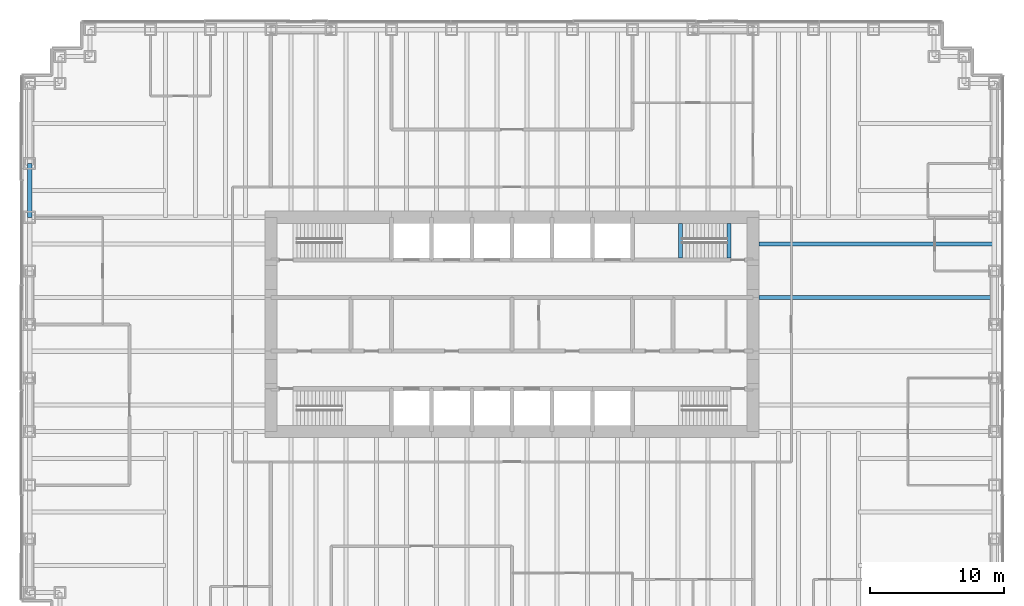
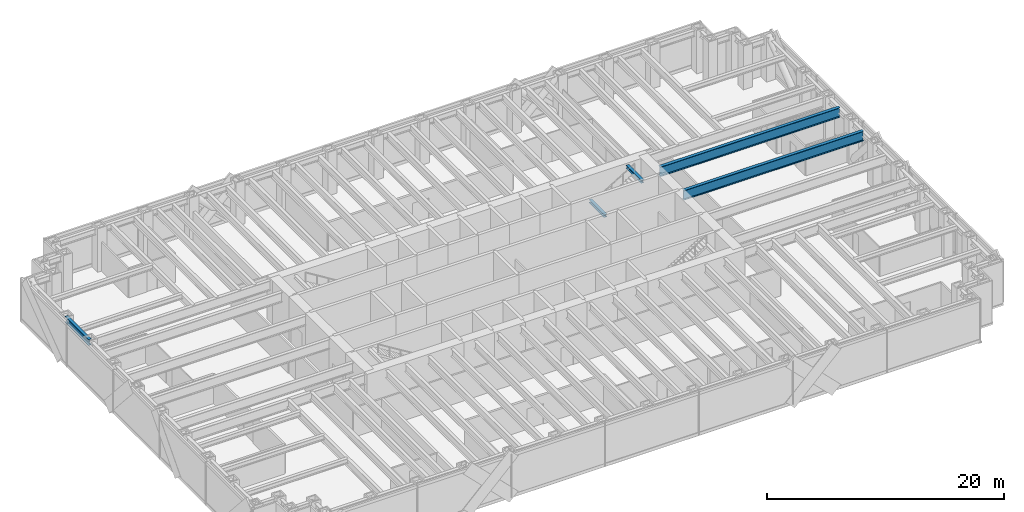
# One storey, part 4 of 13: 5 beams.
"""IFC4 building model written with IfcOpenShell, lengths in metres."""

from ifc_helpers import new_model, si_unit, direction, frame, origin, origin_2d, place, context, subcontext, project, spatial, i_section, extrude, material, material_profile, profile_set, type_object, element, save


model = new_model("IFC4")

# Units and contexts
model_context = context("Model", 3, precision=1e-05, world=origin(), true_north=direction((0.0, 1.0)))
body_context = subcontext(model_context, "Body", "Model", "MODEL_VIEW")
ifc_project = project(units=[si_unit("LENGTHUNIT", "METRE"), si_unit("AREAUNIT", "SQUARE_METRE"), si_unit("VOLUMEUNIT", "CUBIC_METRE"), si_unit("PLANEANGLEUNIT", "RADIAN"), si_unit("MASSUNIT", "GRAM", prefix="KILO")], contexts=[model_context])

# Site, building, storey
site_placement = place(None, origin())
site = spatial("IfcSite", under=ifc_project, at=site_placement, CompositionType="ELEMENT")
building_placement = place(site_placement, origin())
building = spatial("IfcBuilding", under=site, at=building_placement, Name="Rheinbord Bourse Tower", CompositionType="ELEMENT")
storey_placement = place(building_placement, frame((0.0, 0.0, 77.0)))
storey = spatial("IfcBuildingStorey", under=building, at=storey_placement, Name="L16", CompositionType="ELEMENT", Elevation=77.0)

# Beams
ifc_material_1 = material(Name="Steel S460", Category="steel")
ifc_material_profile_1 = material_profile(ifc_material_1, i_section(OverallWidth=0.302001953125, OverallDepth=1.008056640625, WebThickness=0.02099609375, FlangeThickness=0.0400390625, at=origin_2d()), Name="HEM 1000")
ifc_profile_set_1 = profile_set([ifc_material_profile_1], Name="Steel S460")
beam_type_1 = type_object("IfcBeamType", Name="END BEAM HEM 1000", PredefinedType="BEAM", material=ifc_profile_set_1)
for number, where, z_axis, x_axis, name in (
    (1, (54.449951171875, 26.0, 3.81591796875), (1.0, 0.0, 0.0), (0.0, 1.0, 0.0), "End beam east 26 L17"),
    (2, (54.449951171875, 30.0, 3.81591796875), (1.0, 0.0, 0.0), (0.0, 1.0, 0.0), "End beam east 30 L17"),
):
    element("IfcBeam", number, at=place(storey_placement, frame(where, z_axis=z_axis, x_axis=x_axis)), inside=storey, type_object=beam_type_1, Name=name, PredefinedType="BEAM", context=body_context, shape_type="SweptSolid", body=[
        extrude(i_section(OverallWidth=0.302001953125, OverallDepth=1.008056640625, WebThickness=0.02099609375, FlangeThickness=0.0400390625, at=origin_2d()), origin(), (0.0, 0.0, 1.0), 17.550048828125),
    ])
ifc_material_2 = material(Name="Steel S460", Category="steel")
ifc_material_profile_2 = material_profile(ifc_material_2, i_section(OverallWidth=0.300048828125, OverallDepth=0.300048828125, WebThickness=0.010986328125, FlangeThickness=0.01904296875, at=origin_2d()), Name="HEB 300")
ifc_profile_set_2 = profile_set([ifc_material_profile_2], Name="Steel S460")
beam_type_2 = type_object("IfcBeamType", Name="LANDING TRIMMER HEB 300", PredefinedType="BEAM", material=ifc_profile_set_2)
for number, where, z_axis, x_axis, name in (
    (3, (48.590087890625, 28.949951171875, 1.89990234375), (0.0, 1.0, 0.0), (-1.0, 0.0, 0.0), "Landing trimmer ST4 L16"),
    (4, (52.199951171875, 28.949951171875, 4.169921875), (0.0, 1.0, 0.0), (-1.0, 0.0, 0.0), "Well trimmer ST4 under L17"),
):
    element("IfcBeam", number, at=place(storey_placement, frame(where, z_axis=z_axis, x_axis=x_axis)), inside=storey, type_object=beam_type_2, Name=name, PredefinedType="BEAM", context=body_context, shape_type="SweptSolid", body=[
        extrude(i_section(OverallWidth=0.300048828125, OverallDepth=0.300048828125, WebThickness=0.010986328125, FlangeThickness=0.01904296875, at=origin_2d()), origin(), (0.0, 0.0, 1.0), 2.60009765625),
    ])
ifc_material_3 = material(Name="Steel S460", Category="steel")
ifc_material_profile_3 = material_profile(ifc_material_3, i_section(OverallWidth=0.304931640625, OverallDepth=0.6201171875, WebThickness=0.02099609375, FlangeThickness=0.0400390625, at=origin_2d()), Name="HEM 600")
ifc_profile_set_3 = profile_set([ifc_material_profile_3], Name="Steel S460")
beam_type_3 = type_object("IfcBeamType", Name="SPANDREL HEM 600", PredefinedType="SPANDREL", material=ifc_profile_set_3)
beam_placement = place(storey_placement, frame((0.0, 36.0, 4.010009765625), z_axis=(0.0, -1.0, 0.0), x_axis=(1.0, 0.0, 0.0)))
element("IfcBeam", 5, at=beam_placement, inside=storey, type_object=beam_type_3, Name="Spandrel W-36-W-32 under L17", PredefinedType="SPANDREL", context=body_context, shape_type="SweptSolid", body=[
    extrude(i_section(OverallWidth=0.304931640625, OverallDepth=0.6201171875, WebThickness=0.02099609375, FlangeThickness=0.0400390625, at=origin_2d()), origin(), (0.0, 0.0, 1.0), 4.0),
])

save(model, "model.ifc")
